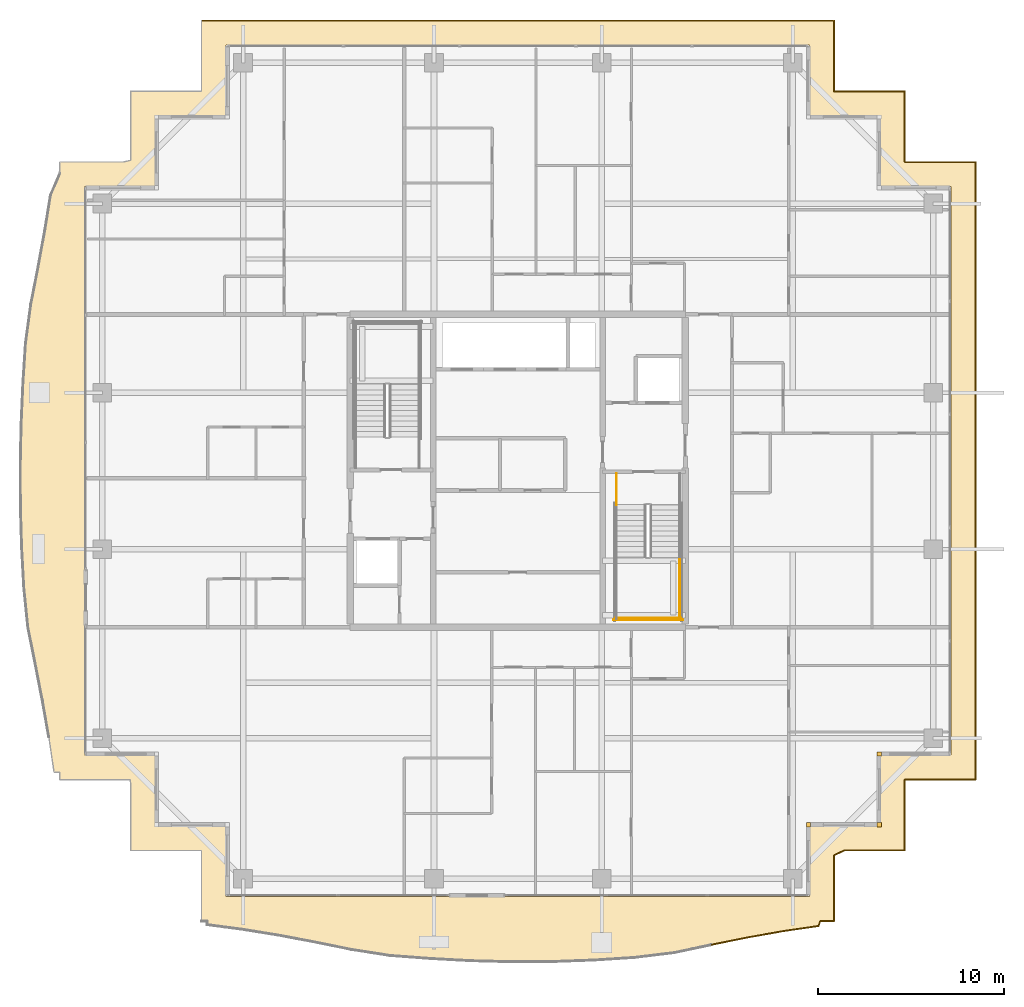
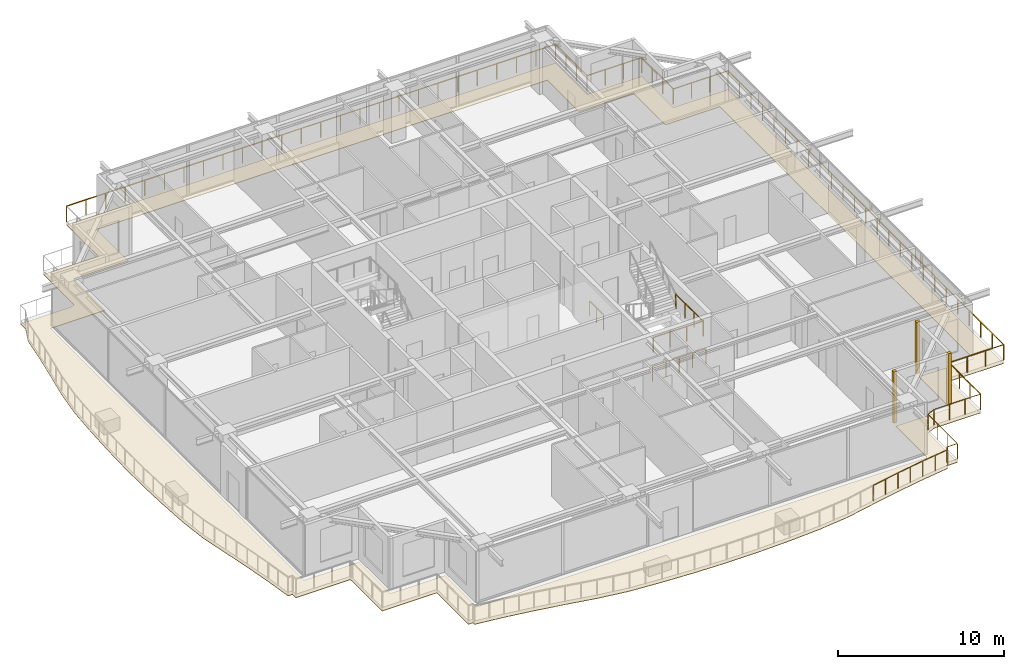
# One storey, part 35 of 37: 6 railings, 4 coverings.
"""IFC4 building model written with IfcOpenShell, lengths in metres."""

from ifc_helpers import new_model, si_unit, direction, frame, origin, origin_2d, place, context, subcontext, project, spatial, polyline, rectangle, circle, outline, extrude, source, transform, mapped, material, layer, layer_set, type_object, element, save


model = new_model("IFC4")

# Units and contexts
model_context = context("Model", 3, precision=1e-05, world=origin(), true_north=direction((0.0, 1.0)))
body_context = subcontext(model_context, "Body", "Model", "MODEL_VIEW")
ifc_project = project(units=[si_unit("LENGTHUNIT", "METRE"), si_unit("AREAUNIT", "SQUARE_METRE"), si_unit("VOLUMEUNIT", "CUBIC_METRE"), si_unit("PLANEANGLEUNIT", "RADIAN"), si_unit("MASSUNIT", "GRAM", prefix="KILO")], contexts=[model_context])

# Site, building, storey
site_placement = place(None, origin())
site = spatial("IfcSite", under=ifc_project, at=site_placement, CompositionType="ELEMENT")
building_placement = place(site_placement, origin())
building = spatial("IfcBuilding", under=site, at=building_placement, Name="Serunith Strait Residences", CompositionType="ELEMENT")
storey_placement = place(building_placement, frame((0.0, 0.0, 305.60009765625)))
storey = spatial("IfcBuildingStorey", under=building, at=storey_placement, Name="L76", CompositionType="ELEMENT", Elevation=305.60009765625)

# Covering
ifc_material_1 = material(Name="Golden Teak Exterior Timber Boarding", Category="wood")
ifc_layer_1 = layer(ifc_material_1, 0.034912109375, Name="Golden Teak Exterior Timber Boarding")
ifc_layer_set_1 = layer_set([ifc_layer_1], Name="Golden Teak Exterior Timber Boarding")
covering_type_1 = type_object("IfcCoveringType", Name="COV-TEAK-SOFFIT", PredefinedType="CEILING", material=ifc_layer_set_1)
covering_placement = place(storey_placement, frame((0.0, 0.0, -0.3251953125)))
element("IfcCovering", 1, at=covering_placement, inside=storey, type_object=covering_type_1, Name="L76 Golden-Teak Balcony Soffit Lining", PredefinedType="CEILING", context=body_context, shape_type="SweptSolid", body=[
    extrude(outline(polyline([(15.419921875, 1.02001953125), (15.419921875, 4.820068359375), (11.6201171875, 4.820068359375), (11.6201171875, 8.395263671875), (11.585205078125, 8.6201171875), (7.820068359375, 8.6201171875), (7.820068359375, 9.012451171875), (7.502685546875, 9.031005859375), (7.22265625, 10.92919921875), (6.88720703125, 12.846923828125), (6.507080078125, 14.802001953125), (6.106201171875, 16.813232421875), (5.8896484375, 18.934326171875), (5.772705078125, 21.1064453125), (5.7080078125, 23.3017578125), (5.69970703125, 25.5068359375), (5.74609375, 27.70849609375), (5.841796875, 29.8935546875), (5.97900390625, 32.052001953125), (6.2626953125, 34.1376953125), (6.650390625, 36.132568359375), (7.008056640625, 38.078369140625), (7.31787109375, 39.993408203125), (7.820068359375, 41.169921875), (7.820068359375, 41.780029296875), (11.237060546875, 41.780029296875), (11.6201171875, 41.8759765625), (11.6201171875, 45.580078125), (15.401611328125, 45.580078125), (15.419921875, 45.5869140625), (15.419921875, 49.3798828125), (49.3798828125, 49.3798828125), (49.3798828125, 45.580078125), (53.179931640625, 45.580078125), (53.179931640625, 41.780029296875), (56.97998046875, 41.780029296875), (56.97998046875, 8.6201171875), (53.179931640625, 8.6201171875), (53.179931640625, 4.820068359375), (49.94482421875, 4.820068359375), (49.3798828125, 4.55322265625), (49.3798828125, 1.02001953125), (48.63623046875, 1.02001953125), (48.55078125, 0.759521484375), (46.65576171875, 0.48291015625), (44.744384765625, 0.14501953125), (42.79833984375, -0.247314453125), (40.796630859375, -0.6708984375), (38.683837890625, -0.9287109375), (36.509521484375, -1.06982421875), (34.306884765625, -1.150390625), (32.091796875, -1.161865234375), (29.881103515625, -1.1044921875), (27.69091796875, -0.987060546875), (25.53271484375, -0.823486328125), (23.45751953125, -0.5), (21.47216796875, -0.0947265625), (19.533935546875, 0.269775390625), (17.623291015625, 0.578369140625), (15.72509765625, 0.8291015625), (15.7265625, 1.02001953125), (15.419921875, 1.02001953125)]), holes=[polyline([(48.054931640625, 2.344970703125), (48.054931640625, 6.14501953125), (51.85498046875, 6.14501953125), (51.85498046875, 9.945068359375), (55.655029296875, 9.945068359375), (55.655029296875, 40.455078125), (51.85498046875, 40.455078125), (51.85498046875, 44.2548828125), (48.054931640625, 44.2548828125), (48.054931640625, 48.054931640625), (16.7451171875, 48.054931640625), (16.7451171875, 44.2548828125), (12.945068359375, 44.2548828125), (12.945068359375, 40.455078125), (9.14501953125, 40.455078125), (9.14501953125, 9.945068359375), (12.945068359375, 9.945068359375), (12.945068359375, 6.14501953125), (16.7451171875, 6.14501953125), (16.7451171875, 2.344970703125), (48.054931640625, 2.344970703125)])]), origin(), (0.0, 0.0, 1.0), 0.03515625),
])

# Railings
ifc_material_2 = material(Name="Stainless Steel & Laminated Glass Balustrade", Category="steel")
railing_type_1 = type_object("IfcRailingType", Name="RLG-BALC-1150", PredefinedType="BALUSTRADE", material=ifc_material_2)
railing_1_placement = place(storey_placement, frame((15.419921875, 49.3798828125, -0.050048828125)))
element("IfcRailing", 2, at=railing_1_placement, inside=storey, type_object=railing_type_1, Name="L76 Swirling Balcony Perimeter Balustrade 5", PredefinedType="BALUSTRADE", context=body_context, shape_type="SweptSolid", body=[
    extrude(circle(Radius=0.02392578125, at=origin_2d()), frame((0.001953125, 0.0, 1.1259765625), z_axis=(1.0, 0.0, 0.0), x_axis=(0.0, 1.0, 0.0)), (0.0, 0.0, 1.0), 33.9560546875),
    extrude(circle(Radius=0.02392578125, at=origin_2d()), frame((33.9599609375, -0.001953125, 1.1259765625), z_axis=(0.0, -1.0, 0.0), x_axis=(1.0, 0.0, 0.0)), (0.0, 0.0, 1.0), 3.7958984375),
    extrude(circle(Radius=0.02392578125, at=origin_2d()), frame((33.9619140625, -3.7998046875, 1.1259765625), z_axis=(1.0, 0.0, 0.0), x_axis=(0.0, 1.0, 0.0)), (0.0, 0.0, 1.0), 3.796142578125),
    extrude(circle(Radius=0.02392578125, at=origin_2d()), frame((37.760009765625, -3.8017578125, 1.1259765625), z_axis=(0.0, -1.0, 0.0), x_axis=(1.0, 0.0, 0.0)), (0.0, 0.0, 1.0), 3.796142578125),
    extrude(circle(Radius=0.02392578125, at=origin_2d()), frame((37.761962890625, -7.599853515625, 1.1259765625), z_axis=(1.0, 0.0, 0.0), x_axis=(0.0, 1.0, 0.0)), (0.0, 0.0, 1.0), 3.796142578125),
    extrude(circle(Radius=0.02392578125, at=origin_2d()), frame((41.56005859375, -7.601806640625, 1.1259765625), z_axis=(0.0, -1.0, 0.0), x_axis=(1.0, 0.0, 0.0)), (0.0, 0.0, 1.0), 33.156005859375),
    extrude(circle(Radius=0.02392578125, at=origin_2d()), frame((41.55810546875, -40.759765625, 1.1259765625), z_axis=(-1.0, 0.0, 0.0), x_axis=(0.0, -1.0, 0.0)), (0.0, 0.0, 1.0), 3.796142578125),
    extrude(circle(Radius=0.02392578125, at=origin_2d()), frame((37.760009765625, -40.76171875, 1.1259765625), z_axis=(0.0, -1.0, 0.0), x_axis=(1.0, 0.0, 0.0)), (0.0, 0.0, 1.0), 3.796142578125),
    extrude(circle(Radius=0.02099609375, at=origin_2d()), origin(), (0.0, 0.0, 1.0), 1.099853515625),
    extrude(circle(Radius=0.02099609375, at=origin_2d()), frame((1.3583984375, 0.0, 0.0)), (0.0, 0.0, 1.0), 1.099853515625),
    extrude(circle(Radius=0.02099609375, at=origin_2d()), frame((2.716796875, 0.0, 0.0)), (0.0, 0.0, 1.0), 1.099853515625),
    extrude(circle(Radius=0.02099609375, at=origin_2d()), frame((4.0751953125, 0.0, 0.0)), (0.0, 0.0, 1.0), 1.099853515625),
    extrude(circle(Radius=0.02099609375, at=origin_2d()), frame((5.43359375, 0.0, 0.0)), (0.0, 0.0, 1.0), 1.099853515625),
    extrude(circle(Radius=0.02099609375, at=origin_2d()), frame((6.7919921875, 0.0, 0.0)), (0.0, 0.0, 1.0), 1.099853515625),
    extrude(circle(Radius=0.02099609375, at=origin_2d()), frame((8.150390625, 0.0, 0.0)), (0.0, 0.0, 1.0), 1.099853515625),
    extrude(circle(Radius=0.02099609375, at=origin_2d()), frame((9.5087890625, 0.0, 0.0)), (0.0, 0.0, 1.0), 1.099853515625),
    extrude(circle(Radius=0.02099609375, at=origin_2d()), frame((10.8671875, 0.0, 0.0)), (0.0, 0.0, 1.0), 1.099853515625),
    extrude(circle(Radius=0.02099609375, at=origin_2d()), frame((12.2255859375, 0.0, 0.0)), (0.0, 0.0, 1.0), 1.099853515625),
    extrude(circle(Radius=0.02099609375, at=origin_2d()), frame((13.583984375, 0.0, 0.0)), (0.0, 0.0, 1.0), 1.099853515625),
    extrude(circle(Radius=0.02099609375, at=origin_2d()), frame((14.9423828125, 0.0, 0.0)), (0.0, 0.0, 1.0), 1.099853515625),
    extrude(circle(Radius=0.02099609375, at=origin_2d()), frame((16.30078125, 0.0, 0.0)), (0.0, 0.0, 1.0), 1.099853515625),
    extrude(circle(Radius=0.02099609375, at=origin_2d()), frame((17.6591796875, 0.0, 0.0)), (0.0, 0.0, 1.0), 1.099853515625),
    extrude(circle(Radius=0.02099609375, at=origin_2d()), frame((19.017578125, 0.0, 0.0)), (0.0, 0.0, 1.0), 1.099853515625),
    extrude(circle(Radius=0.02099609375, at=origin_2d()), frame((20.3759765625, 0.0, 0.0)), (0.0, 0.0, 1.0), 1.099853515625),
    extrude(circle(Radius=0.02099609375, at=origin_2d()), frame((21.734375, 0.0, 0.0)), (0.0, 0.0, 1.0), 1.099853515625),
    extrude(circle(Radius=0.02099609375, at=origin_2d()), frame((23.0927734375, 0.0, 0.0)), (0.0, 0.0, 1.0), 1.099853515625),
    extrude(circle(Radius=0.02099609375, at=origin_2d()), frame((24.451171875, 0.0, 0.0)), (0.0, 0.0, 1.0), 1.099853515625),
    extrude(circle(Radius=0.02099609375, at=origin_2d()), frame((25.8095703125, 0.0, 0.0)), (0.0, 0.0, 1.0), 1.099853515625),
    extrude(circle(Radius=0.02099609375, at=origin_2d()), frame((27.16796875, 0.0, 0.0)), (0.0, 0.0, 1.0), 1.099853515625),
    extrude(circle(Radius=0.02099609375, at=origin_2d()), frame((28.5263671875, 0.0, 0.0)), (0.0, 0.0, 1.0), 1.099853515625),
    extrude(circle(Radius=0.02099609375, at=origin_2d()), frame((29.884765625, 0.0, 0.0)), (0.0, 0.0, 1.0), 1.099853515625),
    extrude(circle(Radius=0.02099609375, at=origin_2d()), frame((31.2431640625, 0.0, 0.0)), (0.0, 0.0, 1.0), 1.099853515625),
    extrude(circle(Radius=0.02099609375, at=origin_2d()), frame((32.6015625, 0.0, 0.0)), (0.0, 0.0, 1.0), 1.099853515625),
    extrude(circle(Radius=0.02099609375, at=origin_2d()), frame((33.9599609375, 0.0, 0.0)), (0.0, 0.0, 1.0), 1.099853515625),
    extrude(circle(Radius=0.02099609375, at=origin_2d()), frame((33.9599609375, -1.2666015625, 0.0)), (0.0, 0.0, 1.0), 1.099853515625),
    extrude(circle(Radius=0.02099609375, at=origin_2d()), frame((33.9599609375, -2.533203125, 0.0)), (0.0, 0.0, 1.0), 1.099853515625),
    extrude(circle(Radius=0.02099609375, at=origin_2d()), frame((33.9599609375, -3.7998046875, 0.0)), (0.0, 0.0, 1.0), 1.099853515625),
    extrude(circle(Radius=0.02099609375, at=origin_2d()), frame((35.2265625, -3.7998046875, 0.0)), (0.0, 0.0, 1.0), 1.099853515625),
    extrude(circle(Radius=0.02099609375, at=origin_2d()), frame((36.493408203125, -3.7998046875, 0.0)), (0.0, 0.0, 1.0), 1.099853515625),
    extrude(circle(Radius=0.02099609375, at=origin_2d()), frame((37.760009765625, -3.7998046875, 0.0)), (0.0, 0.0, 1.0), 1.099853515625),
    extrude(circle(Radius=0.02099609375, at=origin_2d()), frame((37.760009765625, -5.06640625, 0.0)), (0.0, 0.0, 1.0), 1.099853515625),
    extrude(circle(Radius=0.02099609375, at=origin_2d()), frame((37.760009765625, -6.333251953125, 0.0)), (0.0, 0.0, 1.0), 1.099853515625),
    extrude(circle(Radius=0.02099609375, at=origin_2d()), frame((37.760009765625, -7.599853515625, 0.0)), (0.0, 0.0, 1.0), 1.099853515625),
    extrude(circle(Radius=0.02099609375, at=origin_2d()), frame((39.026611328125, -7.599853515625, 0.0)), (0.0, 0.0, 1.0), 1.099853515625),
    extrude(circle(Radius=0.02099609375, at=origin_2d()), frame((40.29345703125, -7.599853515625, 0.0)), (0.0, 0.0, 1.0), 1.099853515625),
    extrude(circle(Radius=0.02099609375, at=origin_2d()), frame((41.56005859375, -7.599853515625, 0.0)), (0.0, 0.0, 1.0), 1.099853515625),
    extrude(circle(Radius=0.02099609375, at=origin_2d()), frame((41.56005859375, -8.9814453125, 0.0)), (0.0, 0.0, 1.0), 1.099853515625),
    extrude(circle(Radius=0.02099609375, at=origin_2d()), frame((41.56005859375, -10.36328125, 0.0)), (0.0, 0.0, 1.0), 1.099853515625),
    extrude(circle(Radius=0.02099609375, at=origin_2d()), frame((41.56005859375, -11.744873046875, 0.0)), (0.0, 0.0, 1.0), 1.099853515625),
    extrude(circle(Radius=0.02099609375, at=origin_2d()), frame((41.56005859375, -13.12646484375, 0.0)), (0.0, 0.0, 1.0), 1.099853515625),
    extrude(circle(Radius=0.02099609375, at=origin_2d()), frame((41.56005859375, -14.508056640625, 0.0)), (0.0, 0.0, 1.0), 1.099853515625),
    extrude(circle(Radius=0.02099609375, at=origin_2d()), frame((41.56005859375, -15.889892578125, 0.0)), (0.0, 0.0, 1.0), 1.099853515625),
    extrude(circle(Radius=0.02099609375, at=origin_2d()), frame((41.56005859375, -17.271484375, 0.0)), (0.0, 0.0, 1.0), 1.099853515625),
    extrude(circle(Radius=0.02099609375, at=origin_2d()), frame((41.56005859375, -18.653076171875, 0.0)), (0.0, 0.0, 1.0), 1.099853515625),
    extrude(circle(Radius=0.02099609375, at=origin_2d()), frame((41.56005859375, -20.034912109375, 0.0)), (0.0, 0.0, 1.0), 1.099853515625),
    extrude(circle(Radius=0.02099609375, at=origin_2d()), frame((41.56005859375, -21.41650390625, 0.0)), (0.0, 0.0, 1.0), 1.099853515625),
    extrude(circle(Radius=0.02099609375, at=origin_2d()), frame((41.56005859375, -22.798095703125, 0.0)), (0.0, 0.0, 1.0), 1.099853515625),
    extrude(circle(Radius=0.02099609375, at=origin_2d()), frame((41.56005859375, -24.1796875, 0.0)), (0.0, 0.0, 1.0), 1.099853515625),
    extrude(circle(Radius=0.02099609375, at=origin_2d()), frame((41.56005859375, -25.5615234375, 0.0)), (0.0, 0.0, 1.0), 1.099853515625),
    extrude(circle(Radius=0.02099609375, at=origin_2d()), frame((41.56005859375, -26.943115234375, 0.0)), (0.0, 0.0, 1.0), 1.099853515625),
    extrude(circle(Radius=0.02099609375, at=origin_2d()), frame((41.56005859375, -28.32470703125, 0.0)), (0.0, 0.0, 1.0), 1.099853515625),
    extrude(circle(Radius=0.02099609375, at=origin_2d()), frame((41.56005859375, -29.70654296875, 0.0)), (0.0, 0.0, 1.0), 1.099853515625),
    extrude(circle(Radius=0.02099609375, at=origin_2d()), frame((41.56005859375, -31.088134765625, 0.0)), (0.0, 0.0, 1.0), 1.099853515625),
    extrude(circle(Radius=0.02099609375, at=origin_2d()), frame((41.56005859375, -32.4697265625, 0.0)), (0.0, 0.0, 1.0), 1.099853515625),
    extrude(circle(Radius=0.02099609375, at=origin_2d()), frame((41.56005859375, -33.8515625, 0.0)), (0.0, 0.0, 1.0), 1.099853515625),
    extrude(circle(Radius=0.02099609375, at=origin_2d()), frame((41.56005859375, -35.233154296875, 0.0)), (0.0, 0.0, 1.0), 1.099853515625),
    extrude(circle(Radius=0.02099609375, at=origin_2d()), frame((41.56005859375, -36.61474609375, 0.0)), (0.0, 0.0, 1.0), 1.099853515625),
    extrude(circle(Radius=0.02099609375, at=origin_2d()), frame((41.56005859375, -37.996337890625, 0.0)), (0.0, 0.0, 1.0), 1.099853515625),
    extrude(circle(Radius=0.02099609375, at=origin_2d()), frame((41.56005859375, -39.378173828125, 0.0)), (0.0, 0.0, 1.0), 1.099853515625),
    extrude(circle(Radius=0.02099609375, at=origin_2d()), frame((41.56005859375, -40.759765625, 0.0)), (0.0, 0.0, 1.0), 1.099853515625),
    extrude(circle(Radius=0.02099609375, at=origin_2d()), frame((40.29345703125, -40.759765625, 0.0)), (0.0, 0.0, 1.0), 1.099853515625),
    extrude(circle(Radius=0.02099609375, at=origin_2d()), frame((39.026611328125, -40.759765625, 0.0)), (0.0, 0.0, 1.0), 1.099853515625),
    extrude(circle(Radius=0.02099609375, at=origin_2d()), frame((37.760009765625, -40.759765625, 0.0)), (0.0, 0.0, 1.0), 1.099853515625),
    extrude(circle(Radius=0.02099609375, at=origin_2d()), frame((37.760009765625, -42.0263671875, 0.0)), (0.0, 0.0, 1.0), 1.099853515625),
    extrude(circle(Radius=0.02099609375, at=origin_2d()), frame((37.760009765625, -43.293212890625, 0.0)), (0.0, 0.0, 1.0), 1.099853515625),
    extrude(circle(Radius=0.02099609375, at=origin_2d()), frame((37.760009765625, -44.559814453125, 0.0)), (0.0, 0.0, 1.0), 1.099853515625),
])
railing_2_placement = place(storey_placement, frame((53.179931640625, 4.820068359375, -0.050048828125)))
element("IfcRailing", 3, at=railing_2_placement, inside=storey, type_object=railing_type_1, Name="L76 Swirling Balcony Perimeter Balustrade 6", PredefinedType="BALUSTRADE", context=body_context, shape_type="SweptSolid", body=[
    extrude(circle(Radius=0.02392578125, at=origin_2d()), frame((-0.001953125, 0.0, 1.1259765625), z_axis=(-1.0, 0.0, 0.0), x_axis=(0.0, -1.0, 0.0)), (0.0, 0.0, 1.0), 3.231201171875),
    extrude(circle(Radius=0.02392578125, at=origin_2d()), frame((-3.23681640625, -0.000732421875, 1.1259765625), z_axis=(-0.904206731775, -0.427095055242, 0.0), x_axis=(0.427095055242, -0.904206731775, 0.0)), (0.0, 0.0, 1.0), 0.620849609375),
    extrude(circle(Radius=0.02392578125, at=origin_2d()), frame((-3.800048828125, -0.268798828125, 1.1259765625), z_axis=(0.0, -1.0, 0.0), x_axis=(1.0, 0.0, 0.0)), (0.0, 0.0, 1.0), 3.529296875),
    extrude(circle(Radius=0.02392578125, at=origin_2d()), frame((-3.802001953125, -3.800048828125, 1.1259765625), z_axis=(-1.0, 0.0, 0.0), x_axis=(0.0, -1.0, 0.0)), (0.0, 0.0, 1.0), 0.73974609375),
    extrude(circle(Radius=0.02392578125, at=origin_2d()), frame((-4.54443359375, -3.802001953125, 1.1259765625), z_axis=(-0.311682483219, -0.950186313127, 0.0), x_axis=(0.950186313127, -0.311682483219, 0.0)), (0.0, 0.0, 1.0), 0.270263671875),
    extrude(circle(Radius=0.02392578125, at=origin_2d()), frame((-4.631103515625, -4.060791015625, 1.1259765625), z_axis=(-0.989514010071, -0.144436920048, 0.0), x_axis=(0.144436920048, -0.989514010071, 0.0)), (0.0, 0.0, 1.0), 1.9111328125),
    extrude(circle(Radius=0.02392578125, at=origin_2d()), frame((-6.526123046875, -4.33740234375, 1.1259765625), z_axis=(-0.98473159897, -0.174079516282, 0.0), x_axis=(0.174079516282, -0.98473159897, 0.0)), (0.0, 0.0, 1.0), 1.93701171875),
    extrude(circle(Radius=0.02392578125, at=origin_2d()), frame((-8.4375, -4.675537109375, 1.1259765625), z_axis=(-0.980276786515, -0.197629506452, 0.0), x_axis=(0.197629506452, -0.980276786515, 0.0)), (0.0, 0.0, 1.0), 1.981201171875),
    extrude(circle(Radius=0.02099609375, at=origin_2d()), origin(), (0.0, 0.0, 1.0), 1.099853515625),
    extrude(circle(Radius=0.02099609375, at=origin_2d()), frame((-1.078369140625, 0.0, 0.0)), (0.0, 0.0, 1.0), 1.099853515625),
    extrude(circle(Radius=0.02099609375, at=origin_2d()), frame((-2.15673828125, 0.0, 0.0)), (0.0, 0.0, 1.0), 1.099853515625),
    extrude(circle(Radius=0.02099609375, at=origin_2d()), frame((-3.235107421875, 0.0, 0.0)), (0.0, 0.0, 1.0), 1.099853515625),
    extrude(circle(Radius=0.02099609375, at=origin_2d()), frame((-3.800048828125, -0.266845703125, 0.0)), (0.0, 0.0, 1.0), 1.099853515625),
    extrude(circle(Radius=0.02099609375, at=origin_2d()), frame((-3.800048828125, -1.444580078125, 0.0)), (0.0, 0.0, 1.0), 1.099853515625),
    extrude(circle(Radius=0.02099609375, at=origin_2d()), frame((-3.800048828125, -2.622314453125, 0.0)), (0.0, 0.0, 1.0), 1.099853515625),
    extrude(circle(Radius=0.02099609375, at=origin_2d()), frame((-3.800048828125, -3.800048828125, 0.0)), (0.0, 0.0, 1.0), 1.099853515625),
    extrude(circle(Radius=0.02099609375, at=origin_2d()), frame((-4.543701171875, -3.800048828125, 0.0)), (0.0, 0.0, 1.0), 1.099853515625),
    extrude(circle(Radius=0.02099609375, at=origin_2d()), frame((-4.629150390625, -4.060546875, 0.0)), (0.0, 0.0, 1.0), 1.099853515625),
    extrude(circle(Radius=0.02099609375, at=origin_2d()), frame((-5.57666015625, -4.19873046875, 0.0)), (0.0, 0.0, 1.0), 1.099853515625),
    extrude(circle(Radius=0.02099609375, at=origin_2d()), frame((-6.524169921875, -4.337158203125, 0.0)), (0.0, 0.0, 1.0), 1.099853515625),
    extrude(circle(Radius=0.02099609375, at=origin_2d()), frame((-7.47998046875, -4.506103515625, 0.0)), (0.0, 0.0, 1.0), 1.099853515625),
    extrude(circle(Radius=0.02099609375, at=origin_2d()), frame((-8.435546875, -4.675048828125, 0.0)), (0.0, 0.0, 1.0), 1.099853515625),
    extrude(circle(Radius=0.02099609375, at=origin_2d()), frame((-9.40869140625, -4.87109375, 0.0)), (0.0, 0.0, 1.0), 1.099853515625),
    extrude(circle(Radius=0.02099609375, at=origin_2d()), frame((-10.381591796875, -5.0673828125, 0.0)), (0.0, 0.0, 1.0), 1.099853515625),
])
ifc_material_3 = material(Name="Brushed stainless steel 316L", Category="steel")
railing_type_2 = type_object("IfcRailingType", Name="RLG-STAIR-GUARD", PredefinedType="BALUSTRADE", material=ifc_material_3)
railing_3_placement = place(storey_placement, frame((41.10009765625, 20.570068359375, 2.02490234375)))
element("IfcRailing", 4, at=railing_3_placement, inside=storey, type_object=railing_type_2, Name="L76 ST-2 stair guard 4", PredefinedType="BALUSTRADE", context=body_context, shape_type="SweptSolid", body=[
    extrude(circle(Radius=0.02392578125, at=origin_2d()), frame((0.0, -0.001953125, 1.076171875), z_axis=(0.0, -1.0, 0.0), x_axis=(1.0, 0.0, 0.0)), (0.0, 0.0, 1.0), 3.316162109375),
    extrude(circle(Radius=0.02099609375, at=origin_2d()), origin(), (0.0, 0.0, 1.0), 1.050048828125),
    extrude(circle(Radius=0.02099609375, at=origin_2d()), frame((0.0, -1.106689453125, 0.0)), (0.0, 0.0, 1.0), 1.050048828125),
    extrude(circle(Radius=0.02099609375, at=origin_2d()), frame((0.0, -2.21337890625, 0.0)), (0.0, 0.0, 1.0), 1.050048828125),
    extrude(circle(Radius=0.02099609375, at=origin_2d()), frame((0.0, -3.320068359375, 0.0)), (0.0, 0.0, 1.0), 1.050048828125),
])
railing_4_placement = place(storey_placement, frame((37.64990234375, 17.300048828125, 2.02490234375)))
element("IfcRailing", 5, at=railing_4_placement, inside=storey, type_object=railing_type_2, Name="L76 ST-2 stair guard 5", PredefinedType="BALUSTRADE", context=body_context, shape_type="SweptSolid", body=[
    extrude(circle(Radius=0.02392578125, at=origin_2d()), frame((0.001953125, 0.0, 1.076171875), z_axis=(1.0, 0.0, 0.0), x_axis=(0.0, 1.0, 0.0)), (0.0, 0.0, 1.0), 3.49609375),
    extrude(circle(Radius=0.02099609375, at=origin_2d()), origin(), (0.0, 0.0, 1.0), 1.050048828125),
    extrude(circle(Radius=0.02099609375, at=origin_2d()), frame((1.166748046875, 0.0, 0.0)), (0.0, 0.0, 1.0), 1.050048828125),
    extrude(circle(Radius=0.02099609375, at=origin_2d()), frame((2.333251953125, 0.0, 0.0)), (0.0, 0.0, 1.0), 1.050048828125),
    extrude(circle(Radius=0.02099609375, at=origin_2d()), frame((3.5, 0.0, 0.0)), (0.0, 0.0, 1.0), 1.050048828125),
])
railing_5_placement = place(storey_placement, frame((37.699951171875, 25.050048828125, 0.0)))
element("IfcRailing", 6, at=railing_5_placement, inside=storey, type_object=railing_type_2, Name="L76 ST-2 stair guard 8", PredefinedType="BALUSTRADE", context=body_context, shape_type="SweptSolid", body=[
    extrude(circle(Radius=0.02392578125, at=origin_2d()), frame((0.0, -0.001953125, 1.076171875), z_axis=(0.0, -1.0, 0.0), x_axis=(1.0, 0.0, 0.0)), (0.0, 0.0, 1.0), 1.676025390625),
    extrude(circle(Radius=0.02099609375, at=origin_2d()), origin(), (0.0, 0.0, 1.0), 1.050048828125),
    extrude(circle(Radius=0.02099609375, at=origin_2d()), frame((0.0, -0.83984375, 0.0)), (0.0, 0.0, 1.0), 1.050048828125),
    extrude(circle(Radius=0.02099609375, at=origin_2d()), frame((0.0, -1.679931640625, 0.0)), (0.0, 0.0, 1.0), 1.050048828125),
])
railing_6_placement = place(storey_placement, frame((37.550048828125, 17.199951171875, 0.0)))
element("IfcRailing", 7, at=railing_6_placement, inside=storey, type_object=railing_type_2, Name="L76 ST-2 stair guard 12", PredefinedType="BALUSTRADE", context=body_context, shape_type="SweptSolid", body=[
    extrude(circle(Radius=0.02392578125, at=origin_2d()), frame((0.001953125, 0.0, 1.076171875), z_axis=(1.0, 0.0, 0.0), x_axis=(0.0, 1.0, 0.0)), (0.0, 0.0, 1.0), 3.696044921875),
    extrude(circle(Radius=0.02099609375, at=origin_2d()), origin(), (0.0, 0.0, 1.0), 1.050048828125),
    extrude(circle(Radius=0.02099609375, at=origin_2d()), frame((0.925048828125, 0.0, 0.0)), (0.0, 0.0, 1.0), 1.050048828125),
    extrude(circle(Radius=0.02099609375, at=origin_2d()), frame((1.85009765625, 0.0, 0.0)), (0.0, 0.0, 1.0), 1.050048828125),
    extrude(circle(Radius=0.02099609375, at=origin_2d()), frame((2.77490234375, 0.0, 0.0)), (0.0, 0.0, 1.0), 1.050048828125),
    extrude(circle(Radius=0.02099609375, at=origin_2d()), frame((3.699951171875, 0.0, 0.0)), (0.0, 0.0, 1.0), 1.050048828125),
])

# Coverings
ifc_material_4 = material(Name="Pale-Champagne Anodised Aluminium", Category="aluminium")
ifc_layer_2 = layer(ifc_material_4, 0.219970703125, Name="Pale-Champagne Anodised Aluminium")
ifc_layer_set_2 = layer_set([ifc_layer_2], Name="Pale-Champagne Anodised Aluminium")
covering_type_2 = type_object("IfcCoveringType", Name="COV-CORN-TRIM", PredefinedType="CLADDING", material=ifc_layer_set_2)
shared_shape = source(origin(), body_context, "Body", "SweptSolid", [
    extrude(rectangle(XDim=0.221923828125, YDim=0.221923828125, at=origin_2d()), origin(), (0.0, 0.0, 1.0), 3.77490234375),
])
for number, where, z_axis, x_axis, name in (
    (8, (48.0, 6.199951171875, 0.0), (0.0, 0.0, 1.0), (1.0, 0.0, 0.0), "L76 Girih Serrated Corner Trim Post 02"),
    (9, (51.800048828125, 6.199951171875, 0.0), (0.0, 0.0, 1.0), (1.0, 0.0, 0.0), "L76 Girih Serrated Corner Trim Post 03"),
    (10, (51.800048828125, 10.0, 0.0), (0.0, 0.0, 1.0), (1.0, 0.0, 0.0), "L76 Girih Serrated Corner Trim Post 04"),
):
    element("IfcCovering", number, at=place(storey_placement, frame(where, z_axis=z_axis, x_axis=x_axis)), inside=storey, type_object=covering_type_2, Name=name, PredefinedType="CLADDING", context=body_context, shape_type="MappedRepresentation", body=[
        mapped(shared_shape, transform((0.0, 0.0, 0.0), scale=1.0)),
    ])

save(model, "model.ifc")
